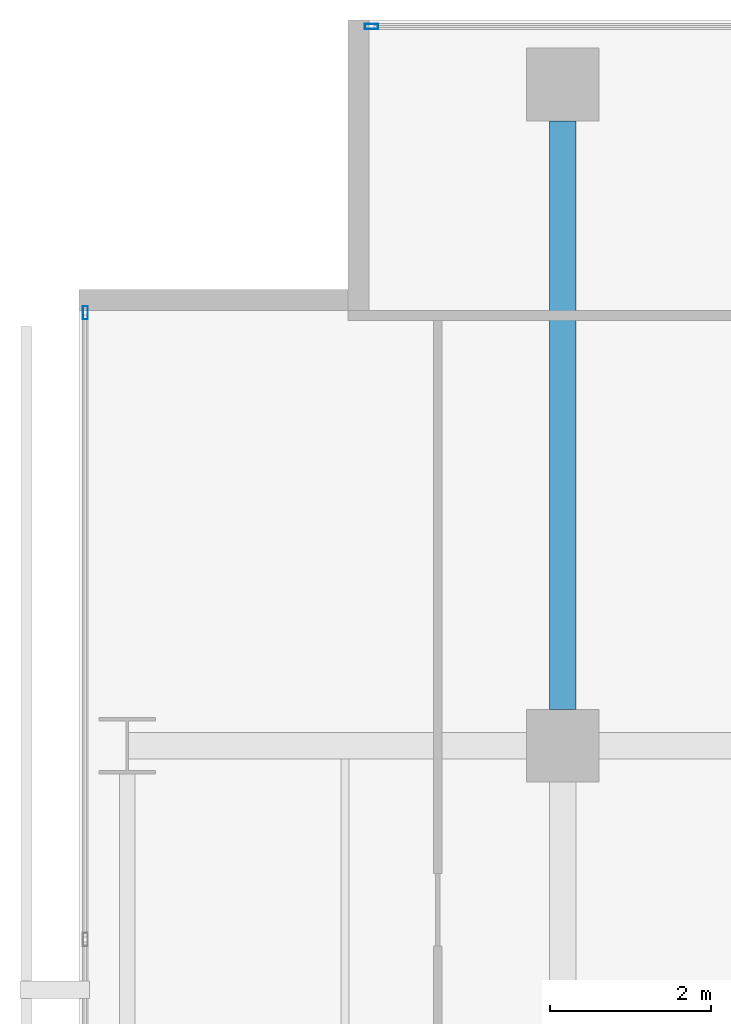
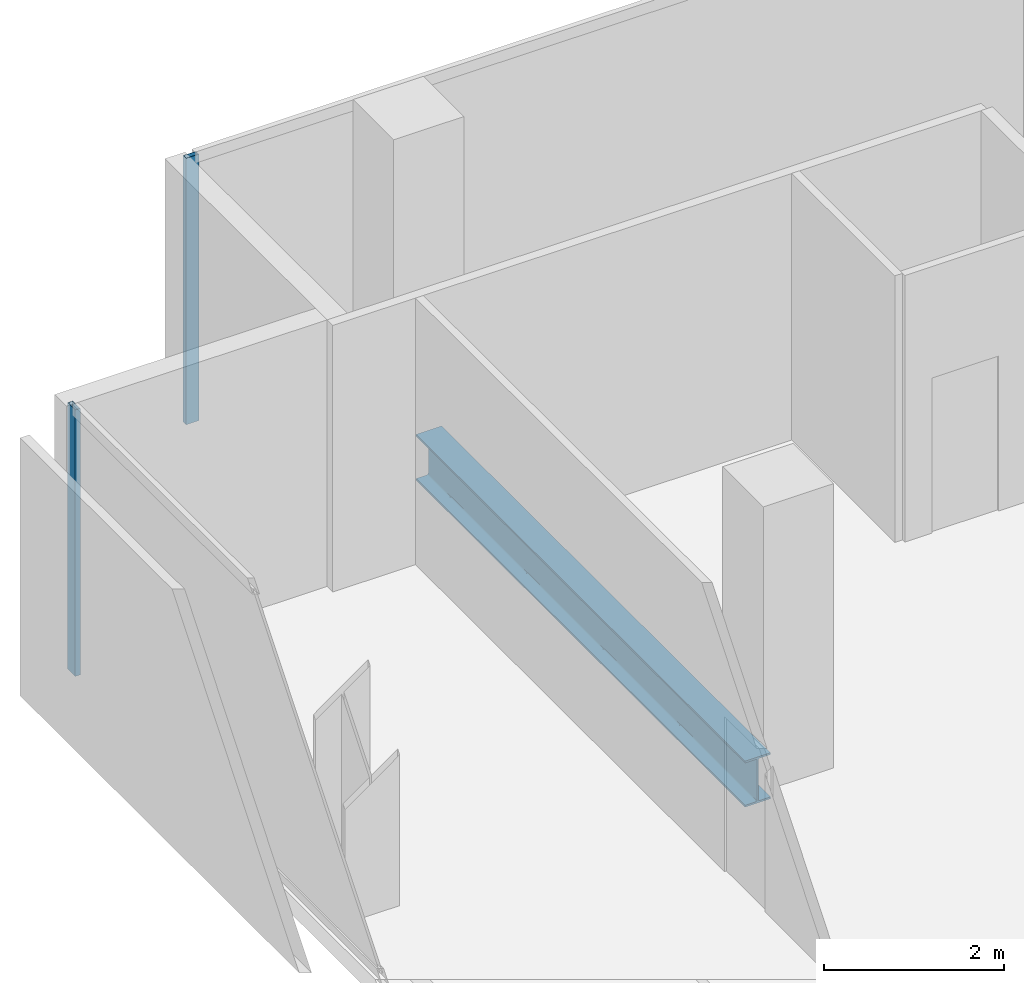
# One storey, part 25 of 39: 2 members, 1 beam, 2 elements without a shape of their own.
"""IFC4 building model written with IfcOpenShell, lengths in metres."""

from ifc_helpers import new_model, si_unit, direction, frame, origin, origin_2d, place, context, subcontext, project, spatial, hollow_rectangle, i_section, extrude, material, layer, layer_set, material_profile, profile_set, type_object, element, aggregate, save


model = new_model("IFC4")

# Units and contexts
model_context = context("Model", 3, precision=1e-05, world=origin(), true_north=direction((0.0, 1.0)))
body_context = subcontext(model_context, "Body", "Model", "MODEL_VIEW")
ifc_project = project(units=[si_unit("LENGTHUNIT", "METRE"), si_unit("AREAUNIT", "SQUARE_METRE"), si_unit("VOLUMEUNIT", "CUBIC_METRE"), si_unit("PLANEANGLEUNIT", "RADIAN"), si_unit("MASSUNIT", "GRAM", prefix="KILO")], contexts=[model_context])

# Site, building, storey
site_placement = place(None, origin())
site = spatial("IfcSite", under=ifc_project, at=site_placement, CompositionType="ELEMENT")
building_placement = place(site_placement, origin())
building = spatial("IfcBuilding", under=site, at=building_placement, Name="Maruvema Waterfront Hotel and Observation Tower", CompositionType="ELEMENT")
storey_placement = place(building_placement, frame((0.0, 0.0, 65.449951171875)))
storey = spatial("IfcBuildingStorey", under=building, at=storey_placement, Name="L15", CompositionType="ELEMENT", Elevation=65.449951171875)

# Curtain wall, member
ifc_material_1 = material(Name="Anodised bronze aluminium and solar-control low-E IGU", Category="aluminium")
ifc_layer = layer(ifc_material_1, 0.159912109375, Name="Zone 1 Bronze Inner Thermal Curtain Wall System CW-02")
ifc_layer_set = layer_set([ifc_layer], Name="Anodised bronze aluminium and solar-control low-E IGU")
curtain_wall_type = type_object("IfcCurtainWallType", Name="Zone 1 Bronze Inner Thermal Curtain Wall System CW-02", PredefinedType="USERDEFINED", material=ifc_layer_set)
curtain_wall_1_placement = place(storey_placement, origin())
curtain_wall_1 = element("IfcCurtainWall", 1, at=curtain_wall_1_placement, inside=storey, type_object=curtain_wall_type, Name="L15 Curtain Wall CW-L15-W", ObjectType="UNITISED CURTAIN WALL", PredefinedType="USERDEFINED")
ifc_material_2 = material(Name="Anodised architectural bronze aluminium", Category="aluminium")
ifc_material_profile_1 = material_profile(ifc_material_2, hollow_rectangle(XDim=0.06494140625, YDim=0.1650390625, WallThickness=0.00390625, at=origin_2d()), Name="ALU-M65x165")
ifc_profile_set_1 = profile_set([ifc_material_profile_1], Name="Anodised architectural bronze aluminium")
member_type = type_object("IfcMemberType", Name="Curtain Wall Primary Mullion ALU-M65x165", PredefinedType="MULLION", material=ifc_profile_set_1)
member_1_placement = place(storey_placement, frame((10.8798828125, 50.3701171875, 0.0), z_axis=(0.0, 0.0, 1.0), x_axis=(1.0, 0.0, 0.0)))
member_1 = element("IfcMember", 2, at=member_1_placement, type_object=member_type, Name="CW-02 mullion 1", PredefinedType="MULLION", context=body_context, shape_type="SweptSolid", body=[
    extrude(hollow_rectangle(XDim=0.06494140625, YDim=0.1650390625, WallThickness=0.00390625, at=origin_2d()), origin(), (0.0, 0.0, 1.0), 3.610107421875),
])
aggregate(curtain_wall_1, [member_1])

curtain_wall_2_placement = place(storey_placement, origin())
curtain_wall_2 = element("IfcCurtainWall", 3, at=curtain_wall_2_placement, inside=storey, type_object=curtain_wall_type, Name="L15 Curtain Wall CW-L15-NW", ObjectType="UNITISED CURTAIN WALL", PredefinedType="USERDEFINED")
member_2_placement = place(storey_placement, frame((14.429931640625, 53.919921875, 0.0), z_axis=(0.0, 0.0, 1.0), x_axis=(0.0, -1.0, 0.0)))
member_2 = element("IfcMember", 4, at=member_2_placement, type_object=member_type, Name="CW-02 mullion 2", PredefinedType="MULLION", context=body_context, shape_type="SweptSolid", body=[
    extrude(hollow_rectangle(XDim=0.06494140625, YDim=0.1650390625, WallThickness=0.00390625, at=origin_2d()), origin(), (0.0, 0.0, 1.0), 3.610107421875),
])
aggregate(curtain_wall_2, [member_2])

# Beam
ifc_material_3 = material(Name="Steel ASTM A572 Grade 50", Category="steel")
ifc_material_profile_2 = material_profile(ifc_material_3, i_section(OverallWidth=0.326904296875, OverallDepth=0.6220703125, WebThickness=0.015380859375, FlangeThickness=0.0244140625, FilletRadius=0.01806640625, at=origin_2d()), Name="W610x195.0")
ifc_profile_set_2 = profile_set([ifc_material_profile_2], Name="Steel ASTM A572 Grade 50")
beam_type = type_object("IfcBeamType", Name="Primary Floor Girder W610x195.0", PredefinedType="BEAM", material=ifc_profile_set_2)
beam_placement = place(storey_placement, frame((16.800048828125, 45.449951171875, -0.551025390625), z_axis=(0.0, 1.0, 0.0), x_axis=(-1.0, 0.0, 0.0)))
element("IfcBeam", 5, at=beam_placement, inside=storey, type_object=beam_type, Name="L15 Floor Girder NS-10", PredefinedType="BEAM", context=body_context, shape_type="SweptSolid", body=[
    extrude(i_section(OverallWidth=0.326904296875, OverallDepth=0.6220703125, WebThickness=0.015380859375, FlangeThickness=0.0244140625, FilletRadius=0.01806640625, at=origin_2d()), origin(), (0.0, 0.0, 1.0), 7.300048828125),
])

save(model, "model.ifc")
